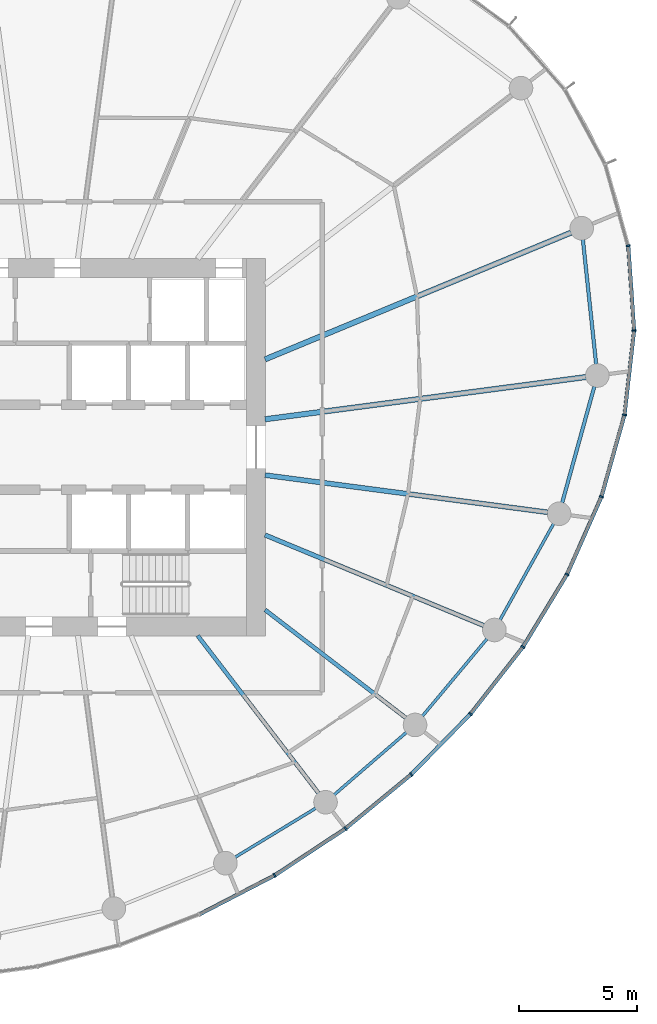
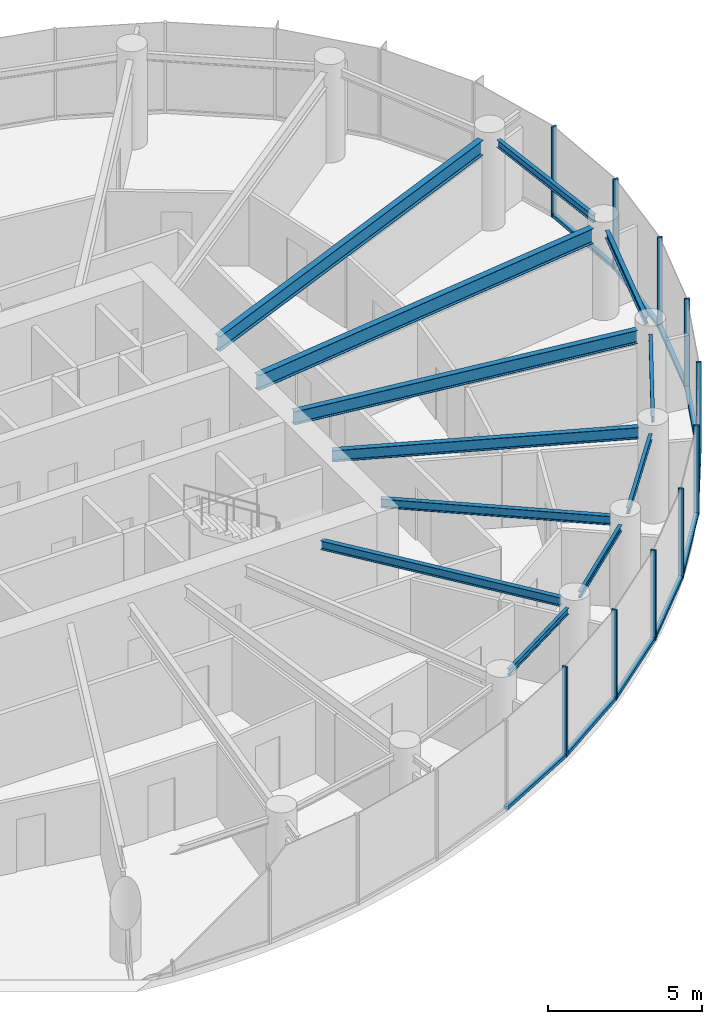
# One storey, part 4 of 14: 20 members, 12 beams, 3 elements without a shape of their own.
"""IFC4 building model written with IfcOpenShell, lengths in metres."""

from ifc_helpers import new_model, si_unit, direction, frame, origin, origin_2d, place, context, subcontext, project, spatial, rectangle, i_section, extrude, source, transform, mapped, material, layer, layer_set, material_profile, profile_set, type_object, element, aggregate, save


model = new_model("IFC4")

# Units and contexts
model_context = context("Model", 3, precision=1e-05, world=origin(), true_north=direction((0.0, 1.0)))
body_context = subcontext(model_context, "Body", "Model", "MODEL_VIEW")
ifc_project = project(units=[si_unit("LENGTHUNIT", "METRE"), si_unit("AREAUNIT", "SQUARE_METRE"), si_unit("VOLUMEUNIT", "CUBIC_METRE"), si_unit("PLANEANGLEUNIT", "RADIAN"), si_unit("MASSUNIT", "GRAM", prefix="KILO")], contexts=[model_context])

# Site, building, storey
site_placement = place(None, origin())
site = spatial("IfcSite", under=ifc_project, at=site_placement, CompositionType="ELEMENT")
building_placement = place(site_placement, origin())
building = spatial("IfcBuilding", under=site, at=building_placement, Name="Spindrift Exchange Tower", CompositionType="ELEMENT")
storey_placement = place(building_placement, frame((0.0, 0.0, 164.300048828125)))
storey = spatial("IfcBuildingStorey", under=building, at=storey_placement, Name="L39", CompositionType="ELEMENT", Elevation=164.300048828125)

# Beams
ifc_material_1 = material(Name="Steel Grade 300", Category="steel")
ifc_material_profile_1 = material_profile(ifc_material_1, i_section(OverallWidth=0.14892578125, OverallDepth=0.298095703125, WebThickness=0.005615234375, FlangeThickness=0.008056640625, FilletRadius=0.012939453125, at=origin_2d()), Name="310UB32.0")
ifc_profile_set_1 = profile_set([ifc_material_profile_1], Name="Steel Grade 300")
beam_type_1 = type_object("IfcBeamType", Name="Edge Beam 310UB32.0 Steel Grade 300", PredefinedType="SPANDREL", material=ifc_profile_set_1)
shared_shape_1 = source(origin(), body_context, "Body", "SweptSolid", [
    extrude(i_section(OverallWidth=0.14892578125, OverallDepth=0.298095703125, WebThickness=0.005615234375, FlangeThickness=0.008056640625, FilletRadius=0.012939453125, at=origin_2d()), origin(), (0.0, 0.0, 1.0), 5.31640625),
])
beam_1_placement = place(storey_placement, frame((75.010986328125, 51.513427734375, 3.430908203125), z_axis=(-0.10598990948, 0.994367205357, 0.0), x_axis=(-0.994367205357, -0.10598990948, 0.0)))
element("IfcBeam", 1, at=beam_1_placement, inside=storey, type_object=beam_type_1, Name="L39 edge beam E01", PredefinedType="SPANDREL", context=body_context, shape_type="MappedRepresentation", body=[
    mapped(shared_shape_1, transform((0.0, 0.0, 0.0), scale=1.0)),
])
ifc_material_profile_2 = material_profile(ifc_material_1, i_section(OverallWidth=0.1240234375, OverallDepth=0.248046875, WebThickness=0.0048828125, FlangeThickness=0.008056640625, FilletRadius=0.011962890625, at=origin_2d()), Name="250UB25.7")
ifc_profile_set_2 = profile_set([ifc_material_profile_2], Name="Steel Grade 300")
beam_type_2 = type_object("IfcBeamType", Name="Edge Beam 250UB25.7 Steel Grade 300", PredefinedType="SPANDREL", material=ifc_profile_set_2)
shared_shape_2 = source(origin(), body_context, "Body", "SweptSolid", [
    extrude(i_section(OverallWidth=0.1240234375, OverallDepth=0.248046875, WebThickness=0.0048828125, FlangeThickness=0.008056640625, FilletRadius=0.011962890625, at=origin_2d()), origin(), (0.0, 0.0, 1.0), 4.00634765625),
])
beam_2_placement = place(storey_placement, frame((59.7109375, 30.623779296875, 3.4560546875), z_axis=(0.854331495603, 0.519728482596, 0.0), x_axis=(-0.519728482596, 0.854331495603, 0.0)))
element("IfcBeam", 2, at=beam_2_placement, inside=storey, type_object=beam_type_2, Name="L39 edge beam E20", PredefinedType="SPANDREL", context=body_context, shape_type="MappedRepresentation", body=[
    mapped(shared_shape_2, transform((0.0, 0.0, 0.0), scale=1.0)),
])
shared_shape_3 = source(origin(), body_context, "Body", "SweptSolid", [
    extrude(i_section(OverallWidth=0.1240234375, OverallDepth=0.248046875, WebThickness=0.0048828125, FlangeThickness=0.008056640625, FilletRadius=0.011962890625, at=origin_2d()), origin(), (0.0, 0.0, 1.0), 4.052001953125),
])
beam_3_placement = place(storey_placement, frame((63.906982421875, 33.269287109375, 3.4560546875), z_axis=(0.756715968535, 0.65374379, 0.0), x_axis=(-0.65374379, 0.756715968535, 0.0)))
element("IfcBeam", 3, at=beam_3_placement, inside=storey, type_object=beam_type_2, Name="L39 edge beam E21", PredefinedType="SPANDREL", context=body_context, shape_type="MappedRepresentation", body=[
    mapped(shared_shape_3, transform((0.0, 0.0, 0.0), scale=1.0)),
])
shared_shape_4 = source(origin(), body_context, "Body", "SweptSolid", [
    extrude(i_section(OverallWidth=0.1240234375, OverallDepth=0.248046875, WebThickness=0.0048828125, FlangeThickness=0.008056640625, FilletRadius=0.011962890625, at=origin_2d()), origin(), (0.0, 0.0, 1.0), 4.282958984375),
])
beam_4_placement = place(storey_placement, frame((67.644287109375, 36.600341796875, 3.4560546875), z_axis=(0.641400288548, 0.767206406289, 0.0), x_axis=(-0.767206406289, 0.641400288548, 0.0)))
element("IfcBeam", 4, at=beam_4_placement, inside=storey, type_object=beam_type_2, Name="L39 edge beam E22", PredefinedType="SPANDREL", context=body_context, shape_type="MappedRepresentation", body=[
    mapped(shared_shape_4, transform((0.0, 0.0, 0.0), scale=1.0)),
])
shared_shape_5 = source(origin(), body_context, "Body", "SweptSolid", [
    extrude(i_section(OverallWidth=0.1240234375, OverallDepth=0.248046875, WebThickness=0.0048828125, FlangeThickness=0.008056640625, FilletRadius=0.011962890625, at=origin_2d()), origin(), (0.0, 0.0, 1.0), 4.6748046875),
])
beam_5_placement = place(storey_placement, frame((70.932861328125, 40.673828125, 3.4560546875), z_axis=(0.486587145143, 0.873632045075, 0.0), x_axis=(-0.873632045075, 0.486587145143, 0.0)))
element("IfcBeam", 5, at=beam_5_placement, inside=storey, type_object=beam_type_2, Name="L39 edge beam E23", PredefinedType="SPANDREL", context=body_context, shape_type="MappedRepresentation", body=[
    mapped(shared_shape_5, transform((0.0, 0.0, 0.0), scale=1.0)),
])
shared_shape_6 = source(origin(), body_context, "Body", "SweptSolid", [
    extrude(i_section(OverallWidth=0.14892578125, OverallDepth=0.298095703125, WebThickness=0.005615234375, FlangeThickness=0.008056640625, FilletRadius=0.012939453125, at=origin_2d()), origin(), (0.0, 0.0, 1.0), 5.118896484375),
])
beam_6_placement = place(storey_placement, frame((73.569091796875, 45.639892578125, 3.430908203125), z_axis=(0.266654866605, 0.963792084485, 0.0), x_axis=(-0.963792084485, 0.266654866605, 0.0)))
element("IfcBeam", 6, at=beam_6_placement, inside=storey, type_object=beam_type_1, Name="L39 edge beam E24", PredefinedType="SPANDREL", context=body_context, shape_type="MappedRepresentation", body=[
    mapped(shared_shape_6, transform((0.0, 0.0, 0.0), scale=1.0)),
])
ifc_material_profile_3 = material_profile(ifc_material_1, i_section(OverallWidth=0.22802734375, OverallDepth=0.60205078125, WebThickness=0.010498046875, FlangeThickness=0.014892578125, FilletRadius=0.013916015625, at=origin_2d()), Name="610UB101")
ifc_profile_set_3 = profile_set([ifc_material_profile_3], Name="Steel Grade 300")
beam_type_3 = type_object("IfcBeamType", Name="Floor Beam 610UB101 Steel Grade 300", PredefinedType="BEAM", material=ifc_profile_set_3)
shared_shape_7 = source(origin(), body_context, "Body", "SweptSolid", [
    extrude(i_section(OverallWidth=0.22802734375, OverallDepth=0.60205078125, WebThickness=0.010498046875, FlangeThickness=0.014892578125, FilletRadius=0.013916015625, at=origin_2d()), origin(), (0.0, 0.0, 1.0), 13.723388671875),
])
beam_7_placement = place(storey_placement, frame((60.980224609375, 49.182373046875, 3.279052734375), z_axis=(0.991447148915, 0.13050881544, 0.0), x_axis=(-0.13050881544, 0.991447148915, 0.0)))
element("IfcBeam", 7, at=beam_7_placement, inside=storey, type_object=beam_type_3, Name="L39 radial beam R01A", PredefinedType="BEAM", context=body_context, shape_type="MappedRepresentation", body=[
    mapped(shared_shape_7, transform((0.0, 0.0, 0.0), scale=1.0)),
])
shared_shape_8 = source(origin(), body_context, "Body", "SweptSolid", [
    extrude(i_section(OverallWidth=0.22802734375, OverallDepth=0.60205078125, WebThickness=0.010498046875, FlangeThickness=0.014892578125, FilletRadius=0.013916015625, at=origin_2d()), origin(), (0.0, 0.0, 1.0), 14.04052734375),
])
beam_8_placement = place(storey_placement, frame((60.9814453125, 51.72021484375, 3.279052734375), z_axis=(0.923879501748, 0.382683506634, 0.0), x_axis=(-0.382683506634, 0.923879501748, 0.0)))
element("IfcBeam", 8, at=beam_8_placement, inside=storey, type_object=beam_type_3, Name="L39 radial beam R02A", PredefinedType="BEAM", context=body_context, shape_type="MappedRepresentation", body=[
    mapped(shared_shape_8, transform((0.0, 0.0, 0.0), scale=1.0)),
])
ifc_material_profile_4 = material_profile(ifc_material_1, i_section(OverallWidth=0.1708984375, OverallDepth=0.35205078125, WebThickness=0.0068359375, FlangeThickness=0.009765625, FilletRadius=0.013916015625, at=origin_2d()), Name="360UB44.7")
ifc_profile_set_4 = profile_set([ifc_material_profile_4], Name="Steel Grade 300")
beam_type_4 = type_object("IfcBeamType", Name="Floor Beam 360UB44.7 Steel Grade 300", PredefinedType="BEAM", material=ifc_profile_set_4)
shared_shape_9 = source(origin(), body_context, "Body", "SweptSolid", [
    extrude(i_section(OverallWidth=0.1708984375, OverallDepth=0.35205078125, WebThickness=0.0068359375, FlangeThickness=0.009765625, FilletRadius=0.013916015625, at=origin_2d()), origin(), (0.0, 0.0, 1.0), 8.419189453125),
])
beam_9_placement = place(storey_placement, frame((58.12646484375, 40.015869140625, 3.404052734375), z_axis=(0.608755970582, -0.79335752866, 0.0), x_axis=(0.79335752866, 0.608755970582, 0.0)))
element("IfcBeam", 9, at=beam_9_placement, inside=storey, type_object=beam_type_4, Name="L39 radial beam R21A", PredefinedType="BEAM", context=body_context, shape_type="MappedRepresentation", body=[
    mapped(shared_shape_9, transform((0.0, 0.0, 0.0), scale=1.0)),
])
shared_shape_10 = source(origin(), body_context, "Body", "SweptSolid", [
    extrude(i_section(OverallWidth=0.1708984375, OverallDepth=0.35205078125, WebThickness=0.0068359375, FlangeThickness=0.009765625, FilletRadius=0.013916015625, at=origin_2d()), origin(), (0.0, 0.0, 1.0), 7.52685546875),
])
beam_10_placement = place(storey_placement, frame((60.984130859375, 41.106201171875, 3.404052734375), z_axis=(0.793354136078, -0.608760391918, 0.0), x_axis=(0.608760391918, 0.793354136078, 0.0)))
element("IfcBeam", 10, at=beam_10_placement, inside=storey, type_object=beam_type_4, Name="L39 radial beam R22A", PredefinedType="BEAM", context=body_context, shape_type="MappedRepresentation", body=[
    mapped(shared_shape_10, transform((0.0, 0.0, 0.0), scale=1.0)),
])
ifc_material_profile_5 = material_profile(ifc_material_1, i_section(OverallWidth=0.18994140625, OverallDepth=0.4541015625, WebThickness=0.008544921875, FlangeThickness=0.0126953125, FilletRadius=0.013916015625, at=origin_2d()), Name="460UB67.1")
ifc_profile_set_5 = profile_set([ifc_material_profile_5], Name="Steel Grade 300")
beam_type_5 = type_object("IfcBeamType", Name="Floor Beam 460UB67.1 Steel Grade 300", PredefinedType="BEAM", material=ifc_profile_set_5)
shared_shape_11 = source(origin(), body_context, "Body", "SweptSolid", [
    extrude(i_section(OverallWidth=0.18994140625, OverallDepth=0.4541015625, WebThickness=0.008544921875, FlangeThickness=0.0126953125, FilletRadius=0.013916015625, at=origin_2d()), origin(), (0.0, 0.0, 1.0), 10.03857421875),
])
beam_11_placement = place(storey_placement, frame((60.9814453125, 44.27978515625, 3.35302734375), z_axis=(0.923880777638, -0.382680426349, 0.0), x_axis=(0.382680426349, 0.923880777638, 0.0)))
element("IfcBeam", 11, at=beam_11_placement, inside=storey, type_object=beam_type_5, Name="L39 radial beam R23A", PredefinedType="BEAM", context=body_context, shape_type="MappedRepresentation", body=[
    mapped(shared_shape_11, transform((0.0, 0.0, 0.0), scale=1.0)),
])
ifc_material_profile_6 = material_profile(ifc_material_1, i_section(OverallWidth=0.208984375, OverallDepth=0.528076171875, WebThickness=0.009521484375, FlangeThickness=0.01318359375, FilletRadius=0.013916015625, at=origin_2d()), Name="530UB82.0")
ifc_profile_set_6 = profile_set([ifc_material_profile_6], Name="Steel Grade 300")
beam_type_6 = type_object("IfcBeamType", Name="Floor Beam 530UB82.0 Steel Grade 300", PredefinedType="BEAM", material=ifc_profile_set_6)
shared_shape_12 = source(origin(), body_context, "Body", "SweptSolid", [
    extrude(i_section(OverallWidth=0.208984375, OverallDepth=0.528076171875, WebThickness=0.009521484375, FlangeThickness=0.01318359375, FilletRadius=0.013916015625, at=origin_2d()), origin(), (0.0, 0.0, 1.0), 12.088134765625),
])
beam_12_placement = place(storey_placement, frame((60.980224609375, 46.817626953125, 3.31591796875), z_axis=(0.991447007302, -0.130509891244, 0.0), x_axis=(0.130509891244, 0.991447007302, 0.0)))
element("IfcBeam", 12, at=beam_12_placement, inside=storey, type_object=beam_type_6, Name="L39 radial beam R24A", PredefinedType="BEAM", context=body_context, shape_type="MappedRepresentation", body=[
    mapped(shared_shape_12, transform((0.0, 0.0, 0.0), scale=1.0)),
])

# Curtain wall, members
ifc_material_2 = material(Name="Fritted laminated glass with bronze frame", Category="glass")
ifc_layer = layer(ifc_material_2, 0.179931640625)
ifc_layer_set = layer_set([ifc_layer], Name="ZONE 3 BRONZE FRITTED WALL")
curtain_wall_type = type_object("IfcCurtainWallType", Name="ZONE 3 BRONZE FRITTED WALL", PredefinedType="NOTDEFINED", material=ifc_layer_set)
curtain_wall_1_placement = place(storey_placement, origin())
curtain_wall_1 = element("IfcCurtainWall", 13, at=curtain_wall_1_placement, inside=storey, type_object=curtain_wall_type, Name="L39 Zone 3 Bronze Fritted Wall run 6", PredefinedType="NOTDEFINED")
ifc_material_3 = material(Name="Bronze anodised aluminium", Category="aluminium")
ifc_material_profile_7 = material_profile(ifc_material_3, rectangle(XDim=0.070068359375, YDim=0.179931640625, at=origin_2d()), Name="ZONE 3 BRONZE FRITTED WALL MULLION 70X180")
ifc_profile_set_7 = profile_set([ifc_material_profile_7], Name="Bronze anodised aluminium")
member_type_1 = type_object("IfcMemberType", Name="ZONE 3 BRONZE FRITTED WALL MULLION 70X180", PredefinedType="MULLION", material=ifc_profile_set_7)
shared_shape_13 = source(origin(), body_context, "Body", "SweptSolid", [
    extrude(rectangle(XDim=0.070068359375, YDim=0.179931640625, at=origin_2d()), origin(), (0.0, 0.0, 1.0), 3.579833984375),
])
member_1_placement = place(storey_placement, frame((61.386962890625, 29.856689453125, 0.0), z_axis=(0.0, 0.0, 1.0), x_axis=(0.862322765332, 0.506359011364, 0.0)))
member_1 = element("IfcMember", 14, at=member_1_placement, type_object=member_type_1, Name="L39 mullion CW-3.31", PredefinedType="MULLION", context=body_context, shape_type="MappedRepresentation", body=[
    mapped(shared_shape_13, transform((0.0, 0.0, 0.0), scale=1.0)),
])
member_2_placement = place(storey_placement, frame((64.3916015625, 31.84130859375, 0.0), z_axis=(0.0, 0.0, 1.0), x_axis=(0.804327421849, 0.594186333116, 0.0)))
member_2 = element("IfcMember", 15, at=member_2_placement, type_object=member_type_1, Name="L39 mullion CW-3.32", PredefinedType="MULLION", context=body_context, shape_type="MappedRepresentation", body=[
    mapped(shared_shape_13, transform((0.0, 0.0, 0.0), scale=1.0)),
])
member_3_placement = place(storey_placement, frame((67.171630859375, 34.1298828125, 0.0), z_axis=(0.0, 0.0, 1.0), x_axis=(0.737002792122, 0.675889698401, 0.0)))
member_3 = element("IfcMember", 16, at=member_3_placement, type_object=member_type_1, Name="L39 mullion CW-3.33", PredefinedType="MULLION", context=body_context, shape_type="MappedRepresentation", body=[
    mapped(shared_shape_13, transform((0.0, 0.0, 0.0), scale=1.0)),
])
member_4_placement = place(storey_placement, frame((69.691650390625, 36.701904296875, 0.0), z_axis=(0.0, 0.0, 1.0), x_axis=(0.659126650301, 0.752031953352, 0.0)))
member_4 = element("IfcMember", 17, at=member_4_placement, type_object=member_type_1, Name="L39 mullion CW-3.34", PredefinedType="MULLION", context=body_context, shape_type="MappedRepresentation", body=[
    mapped(shared_shape_13, transform((0.0, 0.0, 0.0), scale=1.0)),
])
member_5_placement = place(storey_placement, frame((71.910888671875, 39.537109375, 0.0), z_axis=(0.0, 0.0, 1.0), x_axis=(0.568699298794, 0.822545504851, 0.0)))
member_5 = element("IfcMember", 18, at=member_5_placement, type_object=member_type_1, Name="L39 mullion CW-3.35", PredefinedType="MULLION", context=body_context, shape_type="MappedRepresentation", body=[
    mapped(shared_shape_13, transform((0.0, 0.0, 0.0), scale=1.0)),
])
member_6_placement = place(storey_placement, frame((73.77978515625, 42.614501953125, 0.0), z_axis=(0.0, 0.0, 1.0), x_axis=(0.463005088418, 0.886355621689, 0.0)))
member_6 = element("IfcMember", 19, at=member_6_placement, type_object=member_type_1, Name="L39 mullion CW-3.36", PredefinedType="MULLION", context=body_context, shape_type="MappedRepresentation", body=[
    mapped(shared_shape_13, transform((0.0, 0.0, 0.0), scale=1.0)),
])

curtain_wall_2_placement = place(storey_placement, origin())
curtain_wall_2 = element("IfcCurtainWall", 20, at=curtain_wall_2_placement, inside=storey, type_object=curtain_wall_type, Name="L39 Zone 3 Bronze Fritted Wall run 7", PredefinedType="NOTDEFINED")
member_7_placement = place(storey_placement, frame((75.23779296875, 45.90576171875, 0.0), z_axis=(0.0, 0.0, 1.0), x_axis=(0.338742798385, 0.940879012701, 0.0)))
member_7 = element("IfcMember", 21, at=member_7_placement, type_object=member_type_1, Name="L39 mullion CW-3.37", PredefinedType="MULLION", context=body_context, shape_type="MappedRepresentation", body=[
    mapped(shared_shape_13, transform((0.0, 0.0, 0.0), scale=1.0)),
])
member_8_placement = place(storey_placement, frame((76.212158203125, 49.37060546875, 0.0), z_axis=(0.0, 0.0, 1.0), x_axis=(0.192477169944, 0.98130145167, 0.0)))
member_8 = element("IfcMember", 22, at=member_8_placement, type_object=member_type_1, Name="L39 mullion CW-3.38", PredefinedType="MULLION", context=body_context, shape_type="MappedRepresentation", body=[
    mapped(shared_shape_13, transform((0.0, 0.0, 0.0), scale=1.0)),
])
member_9_placement = place(storey_placement, frame((76.61865234375, 52.945556640625, 0.0), z_axis=(0.0, 0.0, 1.0), x_axis=(0.022050252358, 0.999756863628, 0.0)))
member_9 = element("IfcMember", 23, at=member_9_placement, type_object=member_type_1, Name="L39 mullion CW-3.39", PredefinedType="MULLION", context=body_context, shape_type="MappedRepresentation", body=[
    mapped(shared_shape_13, transform((0.0, 0.0, 0.0), scale=1.0)),
])
member_10_placement = place(storey_placement, frame((76.3701171875, 56.533935546875, 0.0), z_axis=(0.0, 0.0, 1.0), x_axis=(-0.17048739617, 0.98535985698, 0.0)))
member_10 = element("IfcMember", 24, at=member_10_placement, type_object=member_type_1, Name="L39 mullion CW-3.40", PredefinedType="MULLION", context=body_context, shape_type="MappedRepresentation", body=[
    mapped(shared_shape_13, transform((0.0, 0.0, 0.0), scale=1.0)),
])

# Curtain wall, member
curtain_wall_3_placement = place(storey_placement, origin())
curtain_wall_3 = element("IfcCurtainWall", 25, at=curtain_wall_3_placement, inside=storey, type_object=curtain_wall_type, Name="L39 Zone 3 Bronze Fritted Wall run 5", PredefinedType="NOTDEFINED")
ifc_material_profile_8 = material_profile(ifc_material_3, rectangle(XDim=0.159912109375, YDim=0.1298828125, at=origin_2d()), Name="ZONE 3 BRONZE FRITTED WALL TRANSOM 160X130")
ifc_profile_set_8 = profile_set([ifc_material_profile_8], Name="Bronze anodised aluminium")
member_type_2 = type_object("IfcMemberType", Name="ZONE 3 BRONZE FRITTED WALL TRANSOM 160X130", PredefinedType="USERDEFINED", material=ifc_profile_set_8)
shared_shape_14 = source(origin(), body_context, "Body", "SweptSolid", [
    extrude(rectangle(XDim=0.159912109375, YDim=0.1298828125, at=origin_2d()), origin(), (0.0, 0.0, 1.0), 3.53076171875),
])
member_11_placement = place(storey_placement, frame((58.22119140625, 28.2158203125, 0.06494140625), z_axis=(0.887833008453, 0.460165784366, 0.0), x_axis=(-0.460165784366, 0.887833008453, 0.0)))
member_11 = element("IfcMember", 26, at=member_11_placement, type_object=member_type_2, Name="L39 transom CW-3.30", ObjectType="TRANSOM", PredefinedType="USERDEFINED", context=body_context, shape_type="MappedRepresentation", body=[
    mapped(shared_shape_14, transform((0.0, 0.0, 0.0), scale=1.0)),
])
aggregate(curtain_wall_3, [member_11])

# Member
member_12_placement = place(storey_placement, frame((61.416259765625, 29.8759765625, 0.06494140625), z_axis=(0.834393810583, 0.551168729938, 0.0), x_axis=(-0.551168729938, 0.834393810583, 0.0)))
member_12 = element("IfcMember", 27, at=member_12_placement, type_object=member_type_2, Name="L39 transom CW-3.31", ObjectType="TRANSOM", PredefinedType="USERDEFINED", context=body_context, shape_type="MappedRepresentation", body=[
    mapped(shared_shape_14, transform((0.0, 0.0, 0.0), scale=1.0)),
])

member_13_placement = place(storey_placement, frame((64.418701171875, 31.863525390625, 0.06494140625), z_axis=(0.772022042875, 0.635595756212, 0.0), x_axis=(-0.635595756212, 0.772022042875, 0.0)))
member_13 = element("IfcMember", 28, at=member_13_placement, type_object=member_type_2, Name="L39 transom CW-3.32", ObjectType="TRANSOM", PredefinedType="USERDEFINED", context=body_context, shape_type="MappedRepresentation", body=[
    mapped(shared_shape_14, transform((0.0, 0.0, 0.0), scale=1.0)),
])

member_14_placement = place(storey_placement, frame((67.196044921875, 34.15478515625, 0.06494140625), z_axis=(0.699879201936, 0.714261228611, 0.0), x_axis=(-0.714261228611, 0.699879201936, 0.0)))
member_14 = element("IfcMember", 29, at=member_14_placement, type_object=member_type_2, Name="L39 transom CW-3.33", ObjectType="TRANSOM", PredefinedType="USERDEFINED", context=body_context, shape_type="MappedRepresentation", body=[
    mapped(shared_shape_14, transform((0.0, 0.0, 0.0), scale=1.0)),
])

shared_shape_15 = source(origin(), body_context, "Body", "SweptSolid", [
    extrude(rectangle(XDim=0.159912109375, YDim=0.1298828125, at=origin_2d()), origin(), (0.0, 0.0, 1.0), 3.5302734375),
])
member_15_placement = place(storey_placement, frame((71.928955078125, 39.567138671875, 0.06494140625), z_axis=(0.519095432678, 0.854716287298, 0.0), x_axis=(-0.854716287298, 0.519095432678, 0.0)))
member_15 = element("IfcMember", 30, at=member_15_placement, type_object=member_type_2, Name="L39 transom CW-3.35", ObjectType="TRANSOM", PredefinedType="USERDEFINED", context=body_context, shape_type="MappedRepresentation", body=[
    mapped(shared_shape_15, transform((0.0, 0.0, 0.0), scale=1.0)),
])

shared_shape_16 = source(origin(), body_context, "Body", "SweptSolid", [
    extrude(rectangle(XDim=0.159912109375, YDim=0.1298828125, at=origin_2d()), origin(), (0.0, 0.0, 1.0), 3.529296875),
])
member_16_placement = place(storey_placement, frame((75.2470703125, 45.939453125, 0.06494140625), z_axis=(0.270753590019, 0.962648686433, 0.0), x_axis=(-0.962648686433, 0.270753590019, 0.0)))
member_16 = element("IfcMember", 31, at=member_16_placement, type_object=member_type_2, Name="L39 transom CW-3.37", ObjectType="TRANSOM", PredefinedType="USERDEFINED", context=body_context, shape_type="MappedRepresentation", body=[
    mapped(shared_shape_16, transform((0.0, 0.0, 0.0), scale=1.0)),
])

shared_shape_17 = source(origin(), body_context, "Body", "SweptSolid", [
    extrude(rectangle(XDim=0.159912109375, YDim=0.1298828125, at=origin_2d()), origin(), (0.0, 0.0, 1.0), 3.530517578125),
])
member_17_placement = place(storey_placement, frame((69.71337890625, 36.729248046875, 0.06494140625), z_axis=(0.616336229427, 0.787483112388, 0.0), x_axis=(-0.787483112388, 0.616336229427, 0.0)))
member_17 = element("IfcMember", 32, at=member_17_placement, type_object=member_type_2, Name="L39 transom CW-3.34", ObjectType="TRANSOM", PredefinedType="USERDEFINED", context=body_context, shape_type="MappedRepresentation", body=[
    mapped(shared_shape_17, transform((0.0, 0.0, 0.0), scale=1.0)),
])

shared_shape_18 = source(origin(), body_context, "Body", "SweptSolid", [
    extrude(rectangle(XDim=0.159912109375, YDim=0.1298828125, at=origin_2d()), origin(), (0.0, 0.0, 1.0), 3.527099609375),
])
member_18_placement = place(storey_placement, frame((76.6162109375, 52.98046875, 0.06494140625), z_axis=(-0.069082412881, 0.997610956351, 0.0), x_axis=(-0.997610956351, -0.069082412881, 0.0)))
member_18 = element("IfcMember", 33, at=member_18_placement, type_object=member_type_2, Name="L39 transom CW-3.39", ObjectType="TRANSOM", PredefinedType="USERDEFINED", context=body_context, shape_type="MappedRepresentation", body=[
    mapped(shared_shape_18, transform((0.0, 0.0, 0.0), scale=1.0)),
])

shared_shape_19 = source(origin(), body_context, "Body", "SweptSolid", [
    extrude(rectangle(XDim=0.159912109375, YDim=0.1298828125, at=origin_2d()), origin(), (0.0, 0.0, 1.0), 3.5283203125),
])
member_19_placement = place(storey_placement, frame((76.216064453125, 49.4052734375, 0.06494140625), z_axis=(0.112998185957, 0.993595194217, 0.0), x_axis=(-0.993595194217, 0.112998185957, 0.0)))
member_19 = element("IfcMember", 34, at=member_19_placement, type_object=member_type_2, Name="L39 transom CW-3.38", ObjectType="TRANSOM", PredefinedType="USERDEFINED", context=body_context, shape_type="MappedRepresentation", body=[
    mapped(shared_shape_19, transform((0.0, 0.0, 0.0), scale=1.0)),
])

aggregate(curtain_wall_2, [member_7, member_16, member_8, member_19, member_9, member_18, member_10])

shared_shape_20 = source(origin(), body_context, "Body", "SweptSolid", [
    extrude(rectangle(XDim=0.159912109375, YDim=0.1298828125, at=origin_2d()), origin(), (0.0, 0.0, 1.0), 3.52978515625),
])
member_20_placement = place(storey_placement, frame((73.7939453125, 42.646484375, 0.06494140625), z_axis=(0.405034370676, 0.914301459351, 0.0), x_axis=(-0.914301459351, 0.405034370676, 0.0)))
member_20 = element("IfcMember", 35, at=member_20_placement, type_object=member_type_2, Name="L39 transom CW-3.36", ObjectType="TRANSOM", PredefinedType="USERDEFINED", context=body_context, shape_type="MappedRepresentation", body=[
    mapped(shared_shape_20, transform((0.0, 0.0, 0.0), scale=1.0)),
])

aggregate(curtain_wall_1, [member_1, member_12, member_2, member_13, member_3, member_14, member_4, member_17, member_5, member_15, member_6, member_20])

save(model, "model.ifc")
